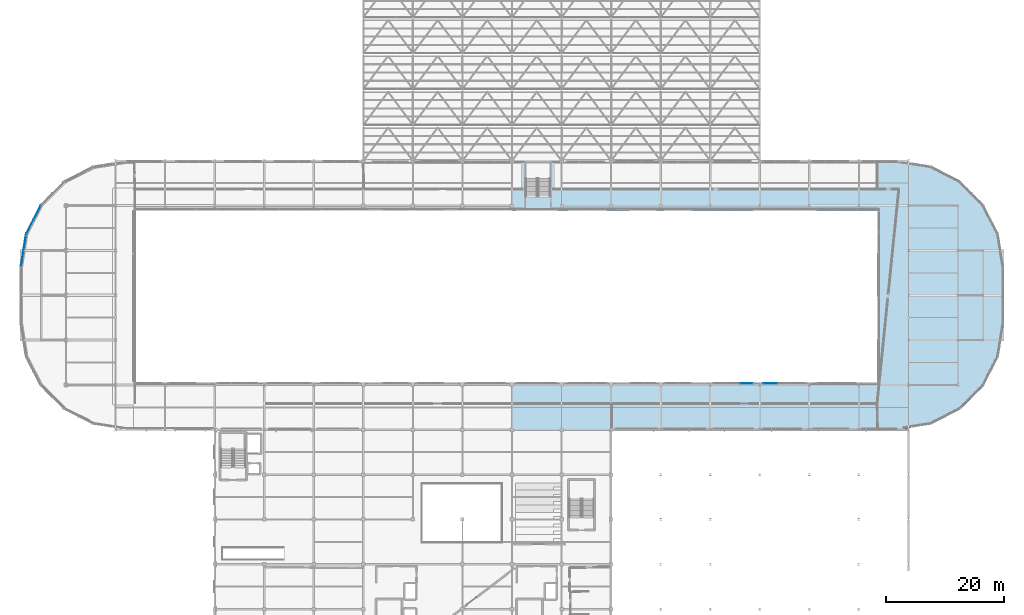
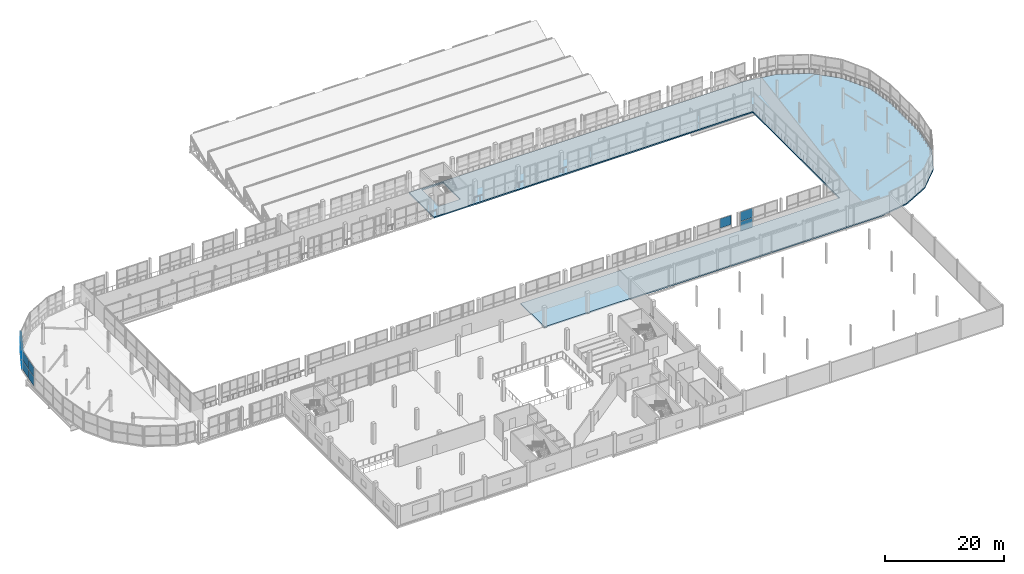
# One storey, part 168 of 217: 11 plates, 1 slab, 4 elements without a shape of their own.
"""IFC4 building model written with IfcOpenShell, lengths in metres."""

from ifc_helpers import new_model, si_unit, direction, frame, origin, origin_2d, place, context, subcontext, project, spatial, polyline, rectangle, outline, extrude, material, layer, layer_set, type_object, element, aggregate, save


model = new_model("IFC4")

# Units and contexts
model_context = context("Model", 3, precision=1e-05, world=origin(), true_north=direction((0.0, 1.0)))
body_context = subcontext(model_context, "Body", "Model", "MODEL_VIEW")
ifc_project = project(units=[si_unit("LENGTHUNIT", "METRE"), si_unit("AREAUNIT", "SQUARE_METRE"), si_unit("VOLUMEUNIT", "CUBIC_METRE"), si_unit("PLANEANGLEUNIT", "RADIAN"), si_unit("MASSUNIT", "GRAM", prefix="KILO")], contexts=[model_context])

# Site, building, storey
site_placement = place(None, origin())
site = spatial("IfcSite", under=ifc_project, at=site_placement, CompositionType="ELEMENT")
building_placement = place(site_placement, origin())
building = spatial("IfcBuilding", under=site, at=building_placement, Name="Zuvorla Pavilion Media Centre", CompositionType="ELEMENT")
storey_placement = place(building_placement, frame((0.0, 0.0, 9.60009765625)))
storey = spatial("IfcBuildingStorey", under=building, at=storey_placement, Name="L02", CompositionType="ELEMENT", Elevation=9.60009765625)

# Curtain wall, plates
ifc_material_1 = material(Name="Unitised anodised aluminium and solar glass curtain wall", Category="aluminium")
curtain_wall_type_1 = type_object("IfcCurtainWallType", Name="CW-SYS-04", PredefinedType="USERDEFINED", material=ifc_material_1)
curtain_wall_1_placement = place(storey_placement, origin())
curtain_wall_1 = element("IfcCurtainWall", 1, at=curtain_wall_1_placement, inside=storey, type_object=curtain_wall_type_1, Name="L02 curtain wall CW04 30", ObjectType="CURTAIN WALL", PredefinedType="USERDEFINED")
ifc_material_2 = material(Name="Solar control double glazing", Category="glass")
ifc_layer_1 = layer(ifc_material_2, 0.028076171875)
ifc_layer_set_1 = layer_set([ifc_layer_1], Name="Solar control double glazing")
plate_type_1 = type_object("IfcPlateType", Name="CW-PNL-28", PredefinedType="CURTAIN_PANEL", material=ifc_layer_set_1)
plate_1_placement = place(storey_placement, frame((11.487060546875, 80.790771484375, 0.02978515625), z_axis=(0.0, 0.0, 1.0), x_axis=(-0.453985852193, -0.891008892216, 0.0)))
plate_1 = element("IfcPlate", 2, at=plate_1_placement, type_object=plate_type_1, Name="CW04 panel 1.1", PredefinedType="CURTAIN_PANEL", context=body_context, shape_type="SweptSolid", body=[
    extrude(rectangle(XDim=2.595703125, YDim=0.028076171875, at=origin_2d()), origin(), (0.0, 0.0, 1.0), 1.9150390625),
])
plate_2_placement = place(storey_placement, frame((11.487060546875, 80.790771484375, 2.0048828125), z_axis=(0.0, 0.0, 1.0), x_axis=(-0.453985852193, -0.891008892216, 0.0)))
plate_2 = element("IfcPlate", 3, at=plate_2_placement, type_object=plate_type_1, Name="CW04 panel 1.2", PredefinedType="CURTAIN_PANEL", context=body_context, shape_type="SweptSolid", body=[
    extrude(rectangle(XDim=2.595703125, YDim=0.028076171875, at=origin_2d()), origin(), (0.0, 0.0, 1.0), 1.9150390625),
])
plate_3_placement = place(storey_placement, frame((10.28125, 78.424560546875, 0.02978515625), z_axis=(0.0, 0.0, 1.0), x_axis=(-0.453985852193, -0.891008892216, 0.0)))
plate_3 = element("IfcPlate", 4, at=plate_3_placement, type_object=plate_type_1, Name="CW04 panel 2.1", PredefinedType="CURTAIN_PANEL", context=body_context, shape_type="SweptSolid", body=[
    extrude(rectangle(XDim=2.595703125, YDim=0.028076171875, at=origin_2d()), origin(), (0.0, 0.0, 1.0), 1.9150390625),
])
plate_4_placement = place(storey_placement, frame((10.28125, 78.424560546875, 2.0048828125), z_axis=(0.0, 0.0, 1.0), x_axis=(-0.453985852193, -0.891008892216, 0.0)))
plate_4 = element("IfcPlate", 5, at=plate_4_placement, type_object=plate_type_1, Name="CW04 panel 2.2", PredefinedType="CURTAIN_PANEL", context=body_context, shape_type="SweptSolid", body=[
    extrude(rectangle(XDim=2.595703125, YDim=0.028076171875, at=origin_2d()), origin(), (0.0, 0.0, 1.0), 1.9150390625),
])
aggregate(curtain_wall_1, [plate_1, plate_2, plate_3, plate_4])

# Curtain wall, plate
curtain_wall_type_2 = type_object("IfcCurtainWallType", Name="CW-SYS-54", PredefinedType="USERDEFINED", material=ifc_material_1)
curtain_wall_2_placement = place(storey_placement, origin())
curtain_wall_2 = element("IfcCurtainWall", 6, at=curtain_wall_2_placement, inside=storey, type_object=curtain_wall_type_2, Name="L02 curtain wall CW54 80", ObjectType="CURTAIN WALL", PredefinedType="USERDEFINED")
plate_5_placement = place(storey_placement, frame((131.7333984375, 51.840087890625, 2.0048828125), z_axis=(0.0, 0.0, 1.0), x_axis=(1.0, 0.0, 0.0)))
plate_5 = element("IfcPlate", 7, at=plate_5_placement, type_object=plate_type_1, Name="CW54 panel 3.2", PredefinedType="CURTAIN_PANEL", context=body_context, shape_type="SweptSolid", body=[
    extrude(rectangle(XDim=2.1533203125, YDim=0.028076171875, at=origin_2d()), origin(), (0.0, 0.0, 1.0), 1.9150390625),
])
aggregate(curtain_wall_2, [plate_5])

# Curtain wall, plates
curtain_wall_type_3 = type_object("IfcCurtainWallType", Name="CW-SYS-02", PredefinedType="USERDEFINED", material=ifc_material_1)
curtain_wall_3_placement = place(storey_placement, origin())
curtain_wall_3 = element("IfcCurtainWall", 8, at=curtain_wall_3_placement, inside=storey, type_object=curtain_wall_type_3, Name="L02 curtain wall CW02 31", ObjectType="CURTAIN WALL", PredefinedType="USERDEFINED")
ifc_material_3 = material(Name="Acoustic laminated solar glazing", Category="glass")
ifc_layer_2 = layer(ifc_material_3, 0.033935546875)
ifc_layer_set_2 = layer_set([ifc_layer_2], Name="Acoustic laminated solar glazing")
plate_type_2 = type_object("IfcPlateType", Name="CW-PNL-34", PredefinedType="CURTAIN_PANEL", material=ifc_layer_set_2)
plate_6_placement = place(storey_placement, frame((9.386474609375, 75.6708984375, 0.02978515625), z_axis=(0.0, 0.0, 1.0), x_axis=(-0.156428534885, -0.987689279821, 0.0)))
plate_6 = element("IfcPlate", 9, at=plate_6_placement, type_object=plate_type_2, Name="CW02 panel 1.1", PredefinedType="CURTAIN_PANEL", context=body_context, shape_type="SweptSolid", body=[
    extrude(rectangle(XDim=2.595947265625, YDim=0.033935546875, at=origin_2d()), origin(), (0.0, 0.0, 1.0), 1.9150390625),
])
plate_7_placement = place(storey_placement, frame((9.386474609375, 75.6708984375, 2.0048828125), z_axis=(0.0, 0.0, 1.0), x_axis=(-0.156428534885, -0.987689279821, 0.0)))
plate_7 = element("IfcPlate", 10, at=plate_7_placement, type_object=plate_type_2, Name="CW02 panel 1.2", PredefinedType="CURTAIN_PANEL", context=body_context, shape_type="SweptSolid", body=[
    extrude(rectangle(XDim=2.595947265625, YDim=0.033935546875, at=origin_2d()), origin(), (0.0, 0.0, 1.0), 1.9150390625),
])
plate_8_placement = place(storey_placement, frame((8.970947265625, 73.047607421875, 0.02978515625), z_axis=(0.0, 0.0, 1.0), x_axis=(-0.156428534885, -0.987689279821, 0.0)))
plate_8 = element("IfcPlate", 11, at=plate_8_placement, type_object=plate_type_2, Name="CW02 panel 2.1", PredefinedType="CURTAIN_PANEL", context=body_context, shape_type="SweptSolid", body=[
    extrude(rectangle(XDim=2.595947265625, YDim=0.033935546875, at=origin_2d()), origin(), (0.0, 0.0, 1.0), 1.9150390625),
])
plate_9_placement = place(storey_placement, frame((8.970947265625, 73.047607421875, 2.0048828125), z_axis=(0.0, 0.0, 1.0), x_axis=(-0.156428534885, -0.987689279821, 0.0)))
plate_9 = element("IfcPlate", 12, at=plate_9_placement, type_object=plate_type_2, Name="CW02 panel 2.2", PredefinedType="CURTAIN_PANEL", context=body_context, shape_type="SweptSolid", body=[
    extrude(rectangle(XDim=2.595947265625, YDim=0.033935546875, at=origin_2d()), origin(), (0.0, 0.0, 1.0), 1.9150390625),
])
aggregate(curtain_wall_3, [plate_6, plate_7, plate_8, plate_9])

curtain_wall_type_4 = type_object("IfcCurtainWallType", Name="CW-SYS-55", PredefinedType="USERDEFINED", material=ifc_material_1)
curtain_wall_4_placement = place(storey_placement, origin())
curtain_wall_4 = element("IfcCurtainWall", 13, at=curtain_wall_4_placement, inside=storey, type_object=curtain_wall_type_4, Name="L02 curtain wall CW55 82", ObjectType="CURTAIN WALL", PredefinedType="USERDEFINED")
plate_10_placement = place(storey_placement, frame((135.800048828125, 51.840087890625, 0.02978515625), z_axis=(0.0, 0.0, 1.0), x_axis=(1.0, 0.0, 0.0)))
plate_10 = element("IfcPlate", 14, at=plate_10_placement, type_object=plate_type_2, Name="CW55 panel 1.1", PredefinedType="CURTAIN_PANEL", context=body_context, shape_type="SweptSolid", body=[
    extrude(rectangle(XDim=2.33984375, YDim=0.033935546875, at=origin_2d()), origin(), (0.0, 0.0, 1.0), 1.9150390625),
])
plate_11_placement = place(storey_placement, frame((135.800048828125, 51.840087890625, 2.0048828125), z_axis=(0.0, 0.0, 1.0), x_axis=(1.0, 0.0, 0.0)))
plate_11 = element("IfcPlate", 15, at=plate_11_placement, type_object=plate_type_2, Name="CW55 panel 1.2", PredefinedType="CURTAIN_PANEL", context=body_context, shape_type="SweptSolid", body=[
    extrude(rectangle(XDim=2.33984375, YDim=0.033935546875, at=origin_2d()), origin(), (0.0, 0.0, 1.0), 1.9150390625),
])
aggregate(curtain_wall_4, [plate_10, plate_11])

# Slab
ifc_material_4 = material(Name="Concrete C40/50", Category="concrete")
ifc_layer_3 = layer(ifc_material_4, 0.260009765625)
ifc_layer_set_3 = layer_set([ifc_layer_3], Name="Concrete C40/50")
slab_type = type_object("IfcSlabType", Name="SLB-FLR-260", PredefinedType="FLOOR", material=ifc_layer_set_3)
slab_placement = place(storey_placement, frame((0.0, 0.0, -0.260009765625)))
element("IfcSlab", 16, at=slab_placement, inside=storey, type_object=slab_type, Name="L02 floor slab RING", PredefinedType="FLOOR", context=body_context, shape_type="SweptSolid", body=[
    extrude(outline(polyline([(162.96240234375, 88.718994140625), (167.97998046875, 86.162353515625), (171.96240234375, 82.18017578125), (174.51904296875, 77.162353515625), (175.39990234375, 71.60009765625), (175.39990234375, 62.0), (174.51904296875, 56.437744140625), (171.96240234375, 51.419921875), (167.97998046875, 47.437744140625), (162.96240234375, 44.881103515625), (157.39990234375, 44.0), (92.0, 44.0), (92.0, 52.0), (154.0, 52.0), (154.0, 81.199951171875), (92.0, 81.199951171875), (92.0, 89.60009765625), (157.39990234375, 89.60009765625), (162.96240234375, 88.718994140625)]), holes=[polyline([(98.5, 89.300048828125), (94.300048828125, 89.300048828125), (94.300048828125, 83.550048828125), (98.5, 83.550048828125), (98.5, 89.300048828125)])]), origin(), (0.0, 0.0, 1.0), 0.260009765625),
])

save(model, "model.ifc")
